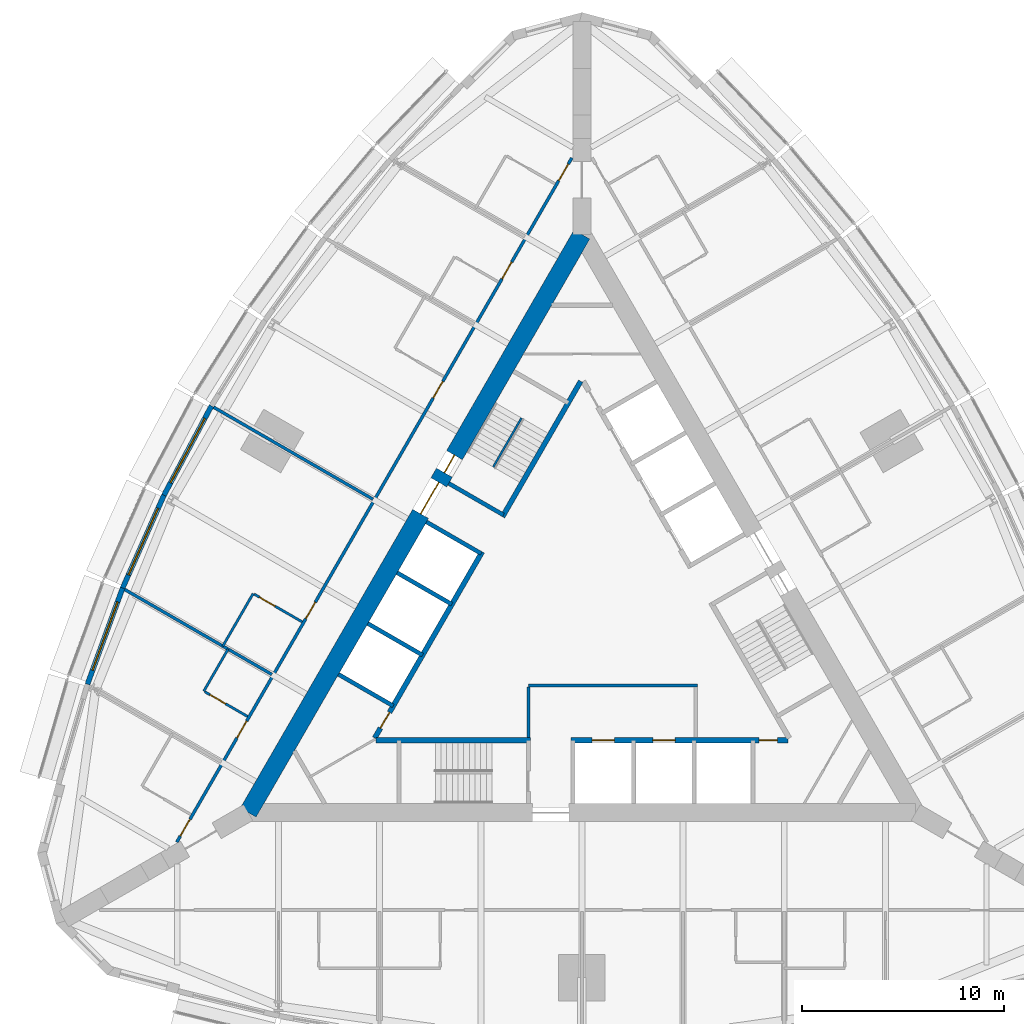
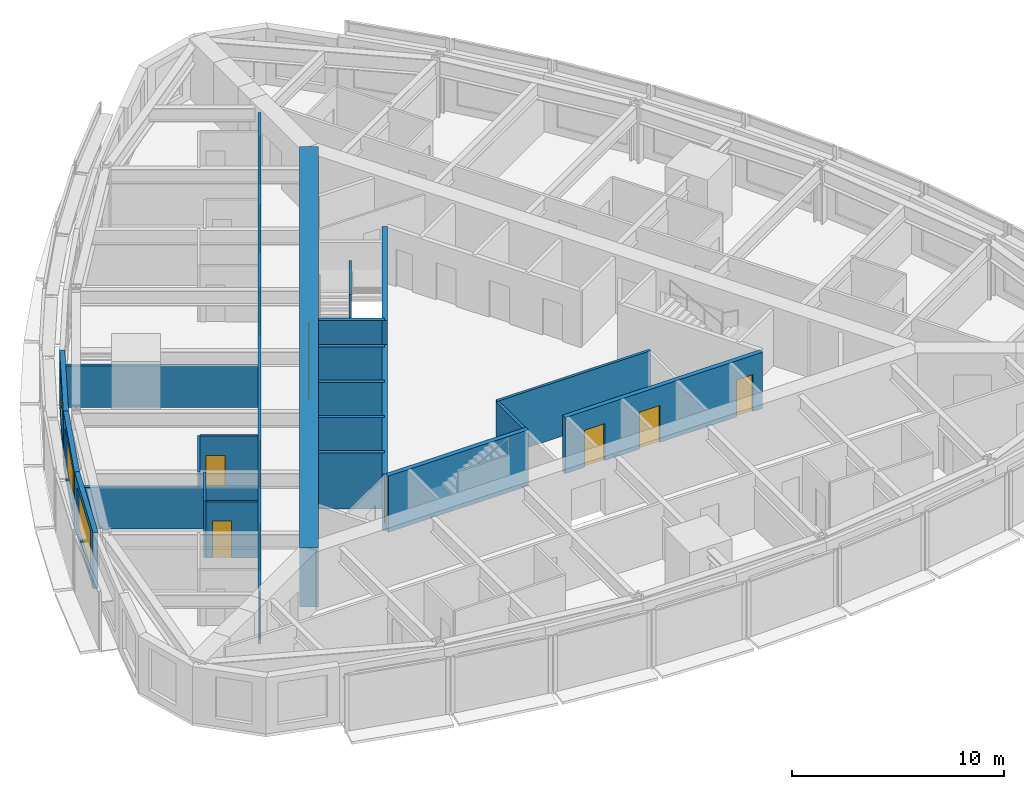
# One storey, part 9 of 14: 23 walls, 14 doors, 3 windows, 17 openings.
"""IFC4 building model written with IfcOpenShell, lengths in metres."""

from ifc_helpers import new_model, si_unit, direction, frame, frame_2d, origin, place, context, subcontext, project, spatial, rectangle, extrude, material, layer, layer_set, type_object, element, fill, save


model = new_model("IFC4")

# Units and contexts
model_context = context("Model", 3, precision=1e-05, world=origin(), true_north=direction((0.0, 1.0)))
body_context = subcontext(model_context, "Body", "Model", "MODEL_VIEW")
ifc_project = project(units=[si_unit("LENGTHUNIT", "METRE"), si_unit("AREAUNIT", "SQUARE_METRE"), si_unit("VOLUMEUNIT", "CUBIC_METRE"), si_unit("PLANEANGLEUNIT", "RADIAN"), si_unit("MASSUNIT", "GRAM", prefix="KILO")], contexts=[model_context])

# Site, building, storey
site_placement = place(None, origin())
site = spatial("IfcSite", under=ifc_project, at=site_placement, CompositionType="ELEMENT")
building_placement = place(site_placement, origin())
building = spatial("IfcBuilding", under=site, at=building_placement, Name="Trikona Tower", CompositionType="ELEMENT")
storey_placement = place(building_placement, frame((0.0, 0.0, 162.300048828125)))
storey = spatial("IfcBuildingStorey", under=building, at=storey_placement, Name="L43", CompositionType="ELEMENT", Elevation=162.300048828125)

# Wall
ifc_material_1 = material(Name="Metal stud and cement board", Category="gypsum")
ifc_layer_1 = layer(ifc_material_1, 0.1201171875)
ifc_layer_set_1 = layer_set([ifc_layer_1], Name="Bathroom wall 120")
wall_type_1 = type_object("IfcWallType", Name="Bathroom wall 120", PredefinedType="PLUMBINGWALL", material=ifc_layer_set_1)
wall_1_placement = place(storey_placement, frame((-16.25341796875, 1.301025390625, 0.0), z_axis=(0.0, 0.0, 1.0), x_axis=(-0.499990139034, -0.866031096941, 0.0)))
element("IfcWall", 1, at=wall_1_placement, inside=storey, type_object=wall_type_1, Name="Bathroom wall 4313", PredefinedType="PLUMBINGWALL", context=body_context, shape_type="SweptSolid", body=[
    extrude(rectangle(XDim=3.0, YDim=0.1201171875, at=frame_2d((1.5, 0.0))), origin(), (0.0, 0.0, 1.0), 3.23486328125),
])

# Wall, opening, door
wall_2_placement = place(storey_placement, frame((-13.82861328125, -0.09912109375, 0.0), z_axis=(0.0, 0.0, 1.0), x_axis=(-0.865997131366, 0.500048966069, 0.0)))
wall_2 = element("IfcWall", 2, at=wall_2_placement, inside=storey, type_object=wall_type_1, Name="Bathroom wall 4313", PredefinedType="PLUMBINGWALL", context=body_context, shape_type="SweptSolid", body=[
    extrude(rectangle(XDim=2.739990234375, YDim=0.1201171875, at=frame_2d((1.3701171875, 0.0))), origin(), (0.0, 0.0, 1.0), 3.23486328125),
])
opening_1_placement = place(wall_2_placement, frame((1.550048828125, 0.0, 0.0)))
opening_1 = element("IfcOpeningElement", 3, at=opening_1_placement, cuts=wall_2, Name="Opening D2", PredefinedType="OPENING", context=body_context, shape_type="SweptSolid", body=[
    extrude(rectangle(XDim=0.89990234375, YDim=2.1298828125, at=frame_2d((0.449951171875, 1.06494140625))), frame((0.0, 0.070068359375, 0.0), z_axis=(0.0, -1.0, 0.0), x_axis=(1.0, 0.0, 0.0)), (0.0, 0.0, 1.0), 0.14013671875),
])
ifc_material_2 = material(Name="Steel door frame with solid-core timber leaf", Category="steel")
door_type_1 = type_object("IfcDoorType", Name="Bathroom door 900x2130", OperationType="SLIDING_TO_LEFT", PredefinedType="DOOR", material=ifc_material_2)
door_1_placement = place(opening_1_placement, origin())
door_1 = element("IfcDoor", 4, at=door_1_placement, inside=storey, type_object=door_type_1, Name="Bathroom door 4313", OperationType="SLIDING_TO_LEFT", OverallHeight=2.1298828125, OverallWidth=0.89990234375, PredefinedType="DOOR", context=body_context, shape_type="SweptSolid", body=[
    extrude(rectangle(XDim=0.89990234375, YDim=2.1298828125, at=frame_2d((0.449951171875, 1.06494140625))), frame((0.0, 0.02490234375, 0.0), z_axis=(0.0, -1.0, 0.0), x_axis=(1.0, 0.0, 0.0)), (0.0, 0.0, 1.0), 0.050048828125),
])
fill(opening_1, door_1)

# Wall
wall_3_placement = place(storey_placement, frame((-17.493408203125, -1.447021484375, 0.0), z_axis=(0.0, 0.0, 1.0), x_axis=(-0.500033551112, -0.866006032174, 0.0)))
element("IfcWall", 5, at=wall_3_placement, inside=storey, type_object=wall_type_1, Name="Bathroom wall 4314", PredefinedType="PLUMBINGWALL", context=body_context, shape_type="SweptSolid", body=[
    extrude(rectangle(XDim=2.400146484375, YDim=0.1201171875, at=frame_2d((1.2001953125, 0.0))), origin(), (0.0, 0.0, 1.0), 3.23486328125),
])

# Wall, opening, door
wall_4_placement = place(storey_placement, frame((-16.528564453125, -4.775634765625, 0.0), z_axis=(0.0, 0.0, 1.0), x_axis=(-0.866023955769, 0.500002508028, 0.0)))
wall_4 = element("IfcWall", 6, at=wall_4_placement, inside=storey, type_object=wall_type_1, Name="Bathroom wall 4314", PredefinedType="PLUMBINGWALL", context=body_context, shape_type="SweptSolid", body=[
    extrude(rectangle(XDim=2.43994140625, YDim=0.1201171875, at=frame_2d((1.219970703125, 0.0))), origin(), (0.0, 0.0, 1.0), 3.23486328125),
])
opening_2_placement = place(wall_4_placement, frame((1.25, 0.0, 0.0)))
opening_2 = element("IfcOpeningElement", 7, at=opening_2_placement, cuts=wall_4, Name="Opening D2", PredefinedType="OPENING", context=body_context, shape_type="SweptSolid", body=[
    extrude(rectangle(XDim=0.89990234375, YDim=2.1298828125, at=frame_2d((0.449951171875, 1.06494140625))), frame((0.0, 0.070068359375, 0.0), z_axis=(0.0, -1.0, 0.0), x_axis=(1.0, 0.0, 0.0)), (0.0, 0.0, 1.0), 0.14013671875),
])
door_2_placement = place(opening_2_placement, origin())
door_2 = element("IfcDoor", 8, at=door_2_placement, inside=storey, type_object=door_type_1, Name="Bathroom door 4314", OperationType="SLIDING_TO_LEFT", OverallHeight=2.1298828125, OverallWidth=0.89990234375, PredefinedType="DOOR", context=body_context, shape_type="SweptSolid", body=[
    extrude(rectangle(XDim=0.89990234375, YDim=2.1298828125, at=frame_2d((0.449951171875, 1.06494140625))), frame((0.0, 0.02490234375, 0.0), z_axis=(0.0, -1.0, 0.0), x_axis=(1.0, 0.0, 0.0)), (0.0, 0.0, 1.0), 0.050048828125),
])
fill(opening_2, door_2)

# Wall, openings, doors
ifc_material_3 = material(Name="Concrete f'c 10000 psi", Category="concrete")
ifc_layer_2 = layer(ifc_material_3, 0.89990234375)
ifc_layer_set_2 = layer_set([ifc_layer_2], Name="Core wall 900")
wall_type_2 = type_object("IfcWallType", Name="Core wall 900", PredefinedType="SHEAR", material=ifc_layer_set_2)
wall_5_placement = place(storey_placement, frame((0.0, 19.052490234375, 0.0), z_axis=(0.0, 0.0, 1.0), x_axis=(-0.499999749417, -0.866025548458, 0.0)))
wall_5 = element("IfcWall", 9, at=wall_5_placement, inside=storey, type_object=wall_type_2, Name="Core wall C", PredefinedType="SHEAR", context=body_context, shape_type="SweptSolid", body=[
    extrude(rectangle(XDim=33.0, YDim=0.89990234375, at=frame_2d((16.5, 0.0))), origin(), (0.0, 0.0, 1.0), 3.39990234375),
])
opening_3_placement = place(wall_5_placement, frame((14.14990234375, 0.0, 0.0)))
opening_3 = element("IfcOpeningElement", 10, at=opening_3_placement, cuts=wall_5, Name="Opening D6", PredefinedType="OPENING", context=body_context, shape_type="SweptSolid", body=[
    extrude(rectangle(XDim=1.800048828125, YDim=2.1298828125, at=frame_2d((0.89990234375, 1.06494140625))), frame((0.0, 0.4599609375, 0.0), z_axis=(0.0, -1.0, 0.0), x_axis=(1.0, 0.0, 0.0)), (0.0, 0.0, 1.0), 0.919921875),
])
opening_4_placement = place(wall_5_placement, frame((12.60009765625, 0.0, 0.0)))
opening_4 = element("IfcOpeningElement", 11, at=opening_4_placement, cuts=wall_5, Name="Opening D5", PredefinedType="OPENING", context=body_context, shape_type="SweptSolid", body=[
    extrude(rectangle(XDim=1.0, YDim=2.1298828125, at=frame_2d((0.5, 1.06494140625))), frame((0.0, 0.4599609375, 0.0), z_axis=(0.0, -1.0, 0.0), x_axis=(1.0, 0.0, 0.0)), (0.0, 0.0, 1.0), 0.919921875),
])
ifc_material_4 = material(Name="Hollow metal door and frame", Category="steel")
door_type_2 = type_object("IfcDoorType", Name="Lobby door pair 1800x2130", OperationType="DOUBLE_DOOR_SINGLE_SWING", PredefinedType="DOOR", material=ifc_material_4)
door_3_placement = place(opening_3_placement, origin())
door_3 = element("IfcDoor", 12, at=door_3_placement, inside=storey, type_object=door_type_2, Name="Lift lobby door C", OperationType="DOUBLE_DOOR_SINGLE_SWING", OverallHeight=2.1298828125, OverallWidth=1.800048828125, PredefinedType="DOOR", context=body_context, shape_type="SweptSolid", body=[
    extrude(rectangle(XDim=1.800048828125, YDim=2.1298828125, at=frame_2d((0.89990234375, 1.06494140625))), frame((0.0, 0.02490234375, 0.0), z_axis=(0.0, -1.0, 0.0), x_axis=(1.0, 0.0, 0.0)), (0.0, 0.0, 1.0), 0.050048828125),
])
fill(opening_3, door_3)
ifc_material_5 = material(Name="Hollow metal door and frame", Category="steel")
door_type_3 = type_object("IfcDoorType", Name="Stair door 1000x2130", OperationType="SINGLE_SWING_LEFT", PredefinedType="DOOR", material=ifc_material_5)
door_4_placement = place(opening_4_placement, origin())
door_4 = element("IfcDoor", 13, at=door_4_placement, inside=storey, type_object=door_type_3, Name="Stair C door", OperationType="SINGLE_SWING_RIGHT", OverallHeight=2.1298828125, OverallWidth=1.0, PredefinedType="DOOR", context=body_context, shape_type="SweptSolid", body=[
    extrude(rectangle(XDim=1.0, YDim=2.1298828125, at=frame_2d((0.5, 1.06494140625))), frame((0.0, 0.02490234375, 0.0), z_axis=(0.0, -1.0, 0.0), x_axis=(1.0, 0.0, 0.0)), (0.0, 0.0, 1.0), 0.050048828125),
])
fill(opening_4, door_4)

ifc_material_6 = material(Name="Metal stud and gypsum board, 1-hour", Category="gypsum")
ifc_layer_3 = layer(ifc_material_6, 0.14990234375)
ifc_layer_set_3 = layer_set([ifc_layer_3], Name="Corridor wall 150")
wall_type_3 = type_object("IfcWallType", Name="Corridor wall 150", PredefinedType="PARTITIONING", material=ifc_layer_set_3)
wall_6_placement = place(storey_placement, frame((-0.5, 22.83642578125, 0.0), z_axis=(0.0, 0.0, 1.0), x_axis=(-0.500001677587, -0.866024435227, 0.0)))
wall_6 = element("IfcWall", 14, at=wall_6_placement, inside=storey, type_object=wall_type_3, Name="Corridor wall L43-3", PredefinedType="PARTITIONING", context=body_context, shape_type="SweptSolid", body=[
    extrude(rectangle(XDim=39.053955078125, YDim=0.14990234375, at=frame_2d((19.52685546875, 0.0))), origin(), (0.0, 0.0, 1.0), 3.23486328125),
])
opening_5_placement = place(wall_6_placement, frame((0.35205078125, 0.0, 0.0)))
opening_5 = element("IfcOpeningElement", 15, at=opening_5_placement, cuts=wall_6, Name="Opening D1", PredefinedType="OPENING", context=body_context, shape_type="SweptSolid", body=[
    extrude(rectangle(XDim=0.949951171875, YDim=2.1298828125, at=frame_2d((0.47509765625, 1.06494140625))), frame((0.0, 0.0849609375, 0.0), z_axis=(0.0, -1.0, 0.0), x_axis=(1.0, 0.0, 0.0)), (0.0, 0.0, 1.0), 0.169921875),
])
opening_6_placement = place(wall_6_placement, frame((5.951904296875, 0.0, 0.0)))
opening_6 = element("IfcOpeningElement", 16, at=opening_6_placement, cuts=wall_6, Name="Opening D1", PredefinedType="OPENING", context=body_context, shape_type="SweptSolid", body=[
    extrude(rectangle(XDim=0.949951171875, YDim=2.1298828125, at=frame_2d((0.47509765625, 1.06494140625))), frame((0.0, 0.0849609375, 0.0), z_axis=(0.0, -1.0, 0.0), x_axis=(1.0, 0.0, 0.0)), (0.0, 0.0, 1.0), 0.169921875),
])
opening_7_placement = place(wall_6_placement, frame((12.751953125, 0.0, 0.0)))
opening_7 = element("IfcOpeningElement", 17, at=opening_7_placement, cuts=wall_6, Name="Opening D1", PredefinedType="OPENING", context=body_context, shape_type="SweptSolid", body=[
    extrude(rectangle(XDim=0.949951171875, YDim=2.1298828125, at=frame_2d((0.47509765625, 1.06494140625))), frame((0.0, 0.0849609375, 0.0), z_axis=(0.0, -1.0, 0.0), x_axis=(1.0, 0.0, 0.0)), (0.0, 0.0, 1.0), 0.169921875),
])
opening_8_placement = place(wall_6_placement, frame((25.35205078125, 0.0, 0.0)))
opening_8 = element("IfcOpeningElement", 18, at=opening_8_placement, cuts=wall_6, Name="Opening D1", PredefinedType="OPENING", context=body_context, shape_type="SweptSolid", body=[
    extrude(rectangle(XDim=0.949951171875, YDim=2.1298828125, at=frame_2d((0.47509765625, 1.06494140625))), frame((0.0, 0.0849609375, 0.0), z_axis=(0.0, -1.0, 0.0), x_axis=(1.0, 0.0, 0.0)), (0.0, 0.0, 1.0), 0.169921875),
])
opening_9_placement = place(wall_6_placement, frame((32.152099609375, 0.0, 0.0)))
opening_9 = element("IfcOpeningElement", 19, at=opening_9_placement, cuts=wall_6, Name="Opening D1", PredefinedType="OPENING", context=body_context, shape_type="SweptSolid", body=[
    extrude(rectangle(XDim=0.949951171875, YDim=2.1298828125, at=frame_2d((0.47509765625, 1.06494140625))), frame((0.0, 0.0849609375, 0.0), z_axis=(0.0, -1.0, 0.0), x_axis=(1.0, 0.0, 0.0)), (0.0, 0.0, 1.0), 0.169921875),
])
opening_10_placement = place(wall_6_placement, frame((37.751953125, 0.0, 0.0)))
opening_10 = element("IfcOpeningElement", 20, at=opening_10_placement, cuts=wall_6, Name="Opening D1", PredefinedType="OPENING", context=body_context, shape_type="SweptSolid", body=[
    extrude(rectangle(XDim=0.949951171875, YDim=2.1298828125, at=frame_2d((0.47509765625, 1.06494140625))), frame((0.0, 0.0849609375, 0.0), z_axis=(0.0, -1.0, 0.0), x_axis=(1.0, 0.0, 0.0)), (0.0, 0.0, 1.0), 0.169921875),
])
ifc_material_7 = material(Name="Steel door frame with solid-core timber leaf", Category="steel")
door_type_4 = type_object("IfcDoorType", Name="Guest room door 950x2130", OperationType="SINGLE_SWING_LEFT", PredefinedType="DOOR", material=ifc_material_7)
door_5_placement = place(opening_5_placement, origin())
door_5 = element("IfcDoor", 21, at=door_5_placement, inside=storey, type_object=door_type_4, Name="Room door 4310", OperationType="SINGLE_SWING_LEFT", OverallHeight=2.1298828125, OverallWidth=0.949951171875, PredefinedType="DOOR", context=body_context, shape_type="SweptSolid", body=[
    extrude(rectangle(XDim=0.949951171875, YDim=2.1298828125, at=frame_2d((0.47509765625, 1.06494140625))), frame((0.0, 0.02490234375, 0.0), z_axis=(0.0, -1.0, 0.0), x_axis=(1.0, 0.0, 0.0)), (0.0, 0.0, 1.0), 0.050048828125),
])
fill(opening_5, door_5)
door_6_placement = place(opening_6_placement, origin())
door_6 = element("IfcDoor", 22, at=door_6_placement, inside=storey, type_object=door_type_4, Name="Room door 4311", OperationType="SINGLE_SWING_RIGHT", OverallHeight=2.1298828125, OverallWidth=0.949951171875, PredefinedType="DOOR", context=body_context, shape_type="SweptSolid", body=[
    extrude(rectangle(XDim=0.949951171875, YDim=2.1298828125, at=frame_2d((0.47509765625, 1.06494140625))), frame((0.0, 0.02490234375, 0.0), z_axis=(0.0, -1.0, 0.0), x_axis=(1.0, 0.0, 0.0)), (0.0, 0.0, 1.0), 0.050048828125),
])
fill(opening_6, door_6)
door_7_placement = place(opening_7_placement, origin())
door_7 = element("IfcDoor", 23, at=door_7_placement, inside=storey, type_object=door_type_4, Name="Room door 4312", OperationType="SINGLE_SWING_LEFT", OverallHeight=2.1298828125, OverallWidth=0.949951171875, PredefinedType="DOOR", context=body_context, shape_type="SweptSolid", body=[
    extrude(rectangle(XDim=0.949951171875, YDim=2.1298828125, at=frame_2d((0.47509765625, 1.06494140625))), frame((0.0, 0.02490234375, 0.0), z_axis=(0.0, -1.0, 0.0), x_axis=(1.0, 0.0, 0.0)), (0.0, 0.0, 1.0), 0.050048828125),
])
fill(opening_7, door_7)
door_8_placement = place(opening_8_placement, origin())
door_8 = element("IfcDoor", 24, at=door_8_placement, inside=storey, type_object=door_type_4, Name="Room door 4313", OperationType="SINGLE_SWING_RIGHT", OverallHeight=2.1298828125, OverallWidth=0.949951171875, PredefinedType="DOOR", context=body_context, shape_type="SweptSolid", body=[
    extrude(rectangle(XDim=0.949951171875, YDim=2.1298828125, at=frame_2d((0.47509765625, 1.06494140625))), frame((0.0, 0.02490234375, 0.0), z_axis=(0.0, -1.0, 0.0), x_axis=(1.0, 0.0, 0.0)), (0.0, 0.0, 1.0), 0.050048828125),
])
fill(opening_8, door_8)
door_9_placement = place(opening_9_placement, origin())
door_9 = element("IfcDoor", 25, at=door_9_placement, inside=storey, type_object=door_type_4, Name="Room door 4314", OperationType="SINGLE_SWING_LEFT", OverallHeight=2.1298828125, OverallWidth=0.949951171875, PredefinedType="DOOR", context=body_context, shape_type="SweptSolid", body=[
    extrude(rectangle(XDim=0.949951171875, YDim=2.1298828125, at=frame_2d((0.47509765625, 1.06494140625))), frame((0.0, 0.02490234375, 0.0), z_axis=(0.0, -1.0, 0.0), x_axis=(1.0, 0.0, 0.0)), (0.0, 0.0, 1.0), 0.050048828125),
])
fill(opening_9, door_9)
door_10_placement = place(opening_10_placement, origin())
door_10 = element("IfcDoor", 26, at=door_10_placement, inside=storey, type_object=door_type_4, Name="Room door 4315", OperationType="SINGLE_SWING_RIGHT", OverallHeight=2.1298828125, OverallWidth=0.949951171875, PredefinedType="DOOR", context=body_context, shape_type="SweptSolid", body=[
    extrude(rectangle(XDim=0.949951171875, YDim=2.1298828125, at=frame_2d((0.47509765625, 1.06494140625))), frame((0.0, 0.02490234375, 0.0), z_axis=(0.0, -1.0, 0.0), x_axis=(1.0, 0.0, 0.0)), (0.0, 0.0, 1.0), 0.050048828125),
])
fill(opening_10, door_10)

# Wall
ifc_material_8 = material(Name="Concrete f'c 8000 psi", Category="concrete")
ifc_layer_4 = layer(ifc_material_8, 0.25)
ifc_layer_set_4 = layer_set([ifc_layer_4], Name="Hub wall 250")
wall_type_4 = type_object("IfcWallType", Name="Hub wall 250", PredefinedType="SOLIDWALL", material=ifc_layer_set_4)
wall_7_placement = place(storey_placement, frame((-10.182861328125, -5.951416015625, 0.0), z_axis=(0.0, 0.0, 1.0), x_axis=(1.0, 0.0, 0.0)))
element("IfcWall", 27, at=wall_7_placement, inside=storey, type_object=wall_type_4, Name="Lift lobby wall A1", PredefinedType="SOLIDWALL", context=body_context, shape_type="SweptSolid", body=[
    extrude(rectangle(XDim=7.6328125, YDim=0.25, at=frame_2d((3.81640625, 0.0))), origin(), (0.0, 0.0, 1.0), 3.23486328125),
])

# Wall, openings, doors
wall_8_placement = place(storey_placement, frame((-0.550048828125, -5.951416015625, 0.0), z_axis=(0.0, 0.0, 1.0), x_axis=(1.0, 0.0, 0.0)))
wall_8 = element("IfcWall", 28, at=wall_8_placement, inside=storey, type_object=wall_type_4, Name="Lift lobby wall A2", PredefinedType="SOLIDWALL", context=body_context, shape_type="SweptSolid", body=[
    extrude(rectangle(XDim=10.73291015625, YDim=0.25, at=frame_2d((5.366455078125, 0.0))), origin(), (0.0, 0.0, 1.0), 3.23486328125),
])
opening_11_placement = place(wall_8_placement, frame((9.31396484375, 0.0, 0.0)))
opening_11 = element("IfcOpeningElement", 29, at=opening_11_placement, cuts=wall_8, Name="Opening D14", PredefinedType="OPENING", context=body_context, shape_type="SweptSolid", body=[
    extrude(rectangle(XDim=0.89990234375, YDim=2.1298828125, at=frame_2d((0.449951171875, 1.06494140625))), frame((0.0, 0.135009765625, 0.0), z_axis=(0.0, -1.0, 0.0), x_axis=(1.0, 0.0, 0.0)), (0.0, 0.0, 1.0), 0.27001953125),
])
opening_12_placement = place(wall_8_placement, frame((1.050048828125, 0.0, 0.0)))
opening_12 = element("IfcOpeningElement", 30, at=opening_12_placement, cuts=wall_8, Name="Opening LD", PredefinedType="OPENING", context=body_context, shape_type="SweptSolid", body=[
    extrude(rectangle(XDim=1.10009765625, YDim=2.1298828125, at=frame_2d((0.550048828125, 1.06494140625))), frame((0.0, 0.135009765625, 0.0), z_axis=(0.0, -1.0, 0.0), x_axis=(1.0, 0.0, 0.0)), (0.0, 0.0, 1.0), 0.27001953125),
])
opening_13_placement = place(wall_8_placement, frame((4.050048828125, 0.0, 0.0)))
opening_13 = element("IfcOpeningElement", 31, at=opening_13_placement, cuts=wall_8, Name="Opening LD", PredefinedType="OPENING", context=body_context, shape_type="SweptSolid", body=[
    extrude(rectangle(XDim=1.10009765625, YDim=2.1298828125, at=frame_2d((0.550048828125, 1.06494140625))), frame((0.0, 0.135009765625, 0.0), z_axis=(0.0, -1.0, 0.0), x_axis=(1.0, 0.0, 0.0)), (0.0, 0.0, 1.0), 0.27001953125),
])
ifc_material_9 = material(Name="Stainless steel lift landing door", Category="steel")
door_type_5 = type_object("IfcDoorType", Name="Lift landing door 1100x2130", OperationType="DOUBLE_DOOR_SLIDING", PredefinedType="USERDEFINED", material=ifc_material_9)
door_11_placement = place(opening_12_placement, origin())
door_11 = element("IfcDoor", 32, at=door_11_placement, inside=storey, type_object=door_type_5, Name="Lift landing door FF1", ObjectType="LIFT LANDING DOOR", OperationType="DOUBLE_DOOR_SLIDING", OverallHeight=2.1298828125, OverallWidth=1.10009765625, PredefinedType="USERDEFINED", context=body_context, shape_type="SweptSolid", body=[
    extrude(rectangle(XDim=1.10009765625, YDim=2.1298828125, at=frame_2d((0.550048828125, 1.06494140625))), frame((0.0, 0.02490234375, 0.0), z_axis=(0.0, -1.0, 0.0), x_axis=(1.0, 0.0, 0.0)), (0.0, 0.0, 1.0), 0.050048828125),
])
fill(opening_12, door_11)
door_12_placement = place(opening_13_placement, origin())
door_12 = element("IfcDoor", 33, at=door_12_placement, inside=storey, type_object=door_type_5, Name="Lift landing door FF2", ObjectType="LIFT LANDING DOOR", OperationType="DOUBLE_DOOR_SLIDING", OverallHeight=2.1298828125, OverallWidth=1.10009765625, PredefinedType="USERDEFINED", context=body_context, shape_type="SweptSolid", body=[
    extrude(rectangle(XDim=1.10009765625, YDim=2.1298828125, at=frame_2d((0.550048828125, 1.06494140625))), frame((0.0, 0.02490234375, 0.0), z_axis=(0.0, -1.0, 0.0), x_axis=(1.0, 0.0, 0.0)), (0.0, 0.0, 1.0), 0.050048828125),
])
fill(opening_13, door_12)
ifc_material_10 = material(Name="Hollow metal door and frame", Category="steel")
door_type_6 = type_object("IfcDoorType", Name="Service room door 900x2130", OperationType="SINGLE_SWING_LEFT", PredefinedType="DOOR", material=ifc_material_10)
door_13_placement = place(opening_11_placement, origin())
door_13 = element("IfcDoor", 34, at=door_13_placement, inside=storey, type_object=door_type_6, Name="Door Linen store LIN", OperationType="SINGLE_SWING_RIGHT", OverallHeight=2.1298828125, OverallWidth=0.89990234375, PredefinedType="DOOR", context=body_context, shape_type="SweptSolid", body=[
    extrude(rectangle(XDim=0.89990234375, YDim=2.1298828125, at=frame_2d((0.449951171875, 1.06494140625))), frame((0.0, 0.02490234375, 0.0), z_axis=(0.0, -1.0, 0.0), x_axis=(1.0, 0.0, 0.0)), (0.0, 0.0, 1.0), 0.050048828125),
])
fill(opening_11, door_13)

# Wall
wall_9_placement = place(storey_placement, frame((-0.0625, 11.794189453125, 0.0), z_axis=(0.0, 0.0, 1.0), x_axis=(-0.500006680225, -0.86602154692, 0.0)))
element("IfcWall", 35, at=wall_9_placement, inside=storey, type_object=wall_type_4, Name="Lift lobby wall C1", PredefinedType="SOLIDWALL", context=body_context, shape_type="SweptSolid", body=[
    extrude(rectangle(XDim=7.73291015625, YDim=0.25, at=frame_2d((3.866455078125, 0.0))), origin(), (0.0, 0.0, 1.0), 3.23486328125),
])

# Wall, opening, door
wall_10_placement = place(storey_placement, frame((-4.928955078125, 3.365478515625, 0.0), z_axis=(0.0, 0.0, 1.0), x_axis=(-0.499991433582, -0.866030349552, 0.0)))
wall_10 = element("IfcWall", 36, at=wall_10_placement, inside=storey, type_object=wall_type_4, Name="Lift lobby wall C2", PredefinedType="SOLIDWALL", context=body_context, shape_type="SweptSolid", body=[
    extrude(rectangle(XDim=10.633056640625, YDim=0.25, at=frame_2d((5.31640625, 0.0))), origin(), (0.0, 0.0, 1.0), 3.23486328125),
])
opening_14_placement = place(wall_10_placement, frame((9.1640625, 0.0, 0.0)))
opening_14 = element("IfcOpeningElement", 37, at=opening_14_placement, cuts=wall_10, Name="Opening D14", PredefinedType="OPENING", context=body_context, shape_type="SweptSolid", body=[
    extrude(rectangle(XDim=0.89990234375, YDim=2.1298828125, at=frame_2d((0.449951171875, 1.06494140625))), frame((0.0, 0.135009765625, 0.0), z_axis=(0.0, -1.0, 0.0), x_axis=(1.0, 0.0, 0.0)), (0.0, 0.0, 1.0), 0.27001953125),
])
door_14_placement = place(opening_14_placement, origin())
door_14 = element("IfcDoor", 38, at=door_14_placement, inside=storey, type_object=door_type_6, Name="Door Ice and vending ICE", OperationType="SINGLE_SWING_RIGHT", OverallHeight=2.1298828125, OverallWidth=0.89990234375, PredefinedType="DOOR", context=body_context, shape_type="SweptSolid", body=[
    extrude(rectangle(XDim=0.89990234375, YDim=2.1298828125, at=frame_2d((0.449951171875, 1.06494140625))), frame((0.0, 0.02490234375, 0.0), z_axis=(0.0, -1.0, 0.0), x_axis=(1.0, 0.0, 0.0)), (0.0, 0.0, 1.0), 0.050048828125),
])
fill(opening_14, door_14)

# Wall, opening, window
ifc_material_11 = material(Name="Insulated precast concrete spandrel panel", Category="concrete")
ifc_layer_5 = layer(ifc_material_11, 0.25)
ifc_layer_set_5 = layer_set([ifc_layer_5], Name="Inner skin wall 250")
wall_type_5 = type_object("IfcWallType", Name="Inner skin wall 250", PredefinedType="STANDARD", material=ifc_layer_set_5)
wall_11_placement = place(storey_placement, frame((-18.314453125, 10.578857421875, 0.0), z_axis=(0.0, 0.0, 1.0), x_axis=(-0.469404966864, -0.882982999317, 0.0)))
wall_11 = element("IfcWall", 39, at=wall_11_placement, inside=storey, type_object=wall_type_5, Name="External wall L43-28", PredefinedType="STANDARD", context=body_context, shape_type="SweptSolid", body=[
    extrude(rectangle(XDim=5.0029296875, YDim=0.25, at=frame_2d((2.50146484375, 0.0))), origin(), (0.0, 0.0, 1.0), 3.23486328125),
])
opening_15_placement = place(wall_11_placement, frame((0.701416015625, 0.0, 0.449951171875)))
opening_15 = element("IfcOpeningElement", 40, at=opening_15_placement, cuts=wall_11, Name="Opening W3624", PredefinedType="OPENING", context=body_context, shape_type="SweptSolid", body=[
    extrude(rectangle(XDim=3.60009765625, YDim=2.39990234375, at=frame_2d((1.800048828125, 1.199951171875))), frame((0.0, 0.135009765625, 0.0), z_axis=(0.0, -1.0, 0.0), x_axis=(1.0, 0.0, 0.0)), (0.0, 0.0, 1.0), 0.27001953125),
])
ifc_material_12 = material(Name="Aluminium-framed double glazing", Category="aluminium")
window_type = type_object("IfcWindowType", Name="Window 3600x2400", PartitioningType="SINGLE_PANEL", PredefinedType="WINDOW", material=ifc_material_12)
window_1_placement = place(opening_15_placement, origin())
window_1 = element("IfcWindow", 41, at=window_1_placement, inside=storey, type_object=window_type, Name="Window 4313", OverallHeight=2.39990234375, OverallWidth=3.60009765625, PartitioningType="SINGLE_PANEL", PredefinedType="WINDOW", context=body_context, shape_type="SweptSolid", body=[
    extrude(rectangle(XDim=3.60009765625, YDim=2.39990234375, at=frame_2d((1.800048828125, 1.199951171875))), frame((0.0, 0.030029296875, 0.0), z_axis=(0.0, -1.0, 0.0), x_axis=(1.0, 0.0, 0.0)), (0.0, 0.0, 1.0), 0.06005859375),
])
fill(opening_15, window_1)

wall_12_placement = place(storey_placement, frame((-20.6591796875, 6.169189453125, 0.0), z_axis=(0.0, 0.0, 1.0), x_axis=(-0.406832200364, -0.913502906808, 0.0)))
wall_12 = element("IfcWall", 42, at=wall_12_placement, inside=storey, type_object=wall_type_5, Name="External wall L43-29", PredefinedType="STANDARD", context=body_context, shape_type="SweptSolid", body=[
    extrude(rectangle(XDim=5.027587890625, YDim=0.25, at=frame_2d((2.513671875, 0.0))), origin(), (0.0, 0.0, 1.0), 3.23486328125),
])
opening_16_placement = place(wall_12_placement, frame((0.713623046875, 0.0, 0.449951171875)))
opening_16 = element("IfcOpeningElement", 43, at=opening_16_placement, cuts=wall_12, Name="Opening W3624", PredefinedType="OPENING", context=body_context, shape_type="SweptSolid", body=[
    extrude(rectangle(XDim=3.60009765625, YDim=2.39990234375, at=frame_2d((1.800048828125, 1.199951171875))), frame((0.0, 0.135009765625, 0.0), z_axis=(0.0, -1.0, 0.0), x_axis=(1.0, 0.0, 0.0)), (0.0, 0.0, 1.0), 0.27001953125),
])
window_2_placement = place(opening_16_placement, origin())
window_2 = element("IfcWindow", 44, at=window_2_placement, inside=storey, type_object=window_type, Name="Window 4313", OverallHeight=2.39990234375, OverallWidth=3.60009765625, PartitioningType="SINGLE_PANEL", PredefinedType="WINDOW", context=body_context, shape_type="SweptSolid", body=[
    extrude(rectangle(XDim=3.60009765625, YDim=2.39990234375, at=frame_2d((1.800048828125, 1.199951171875))), frame((0.0, 0.030029296875, 0.0), z_axis=(0.0, -1.0, 0.0), x_axis=(1.0, 0.0, 0.0)), (0.0, 0.0, 1.0), 0.06005859375),
])
fill(opening_16, window_2)

wall_13_placement = place(storey_placement, frame((-22.701416015625, 1.58447265625, 0.0), z_axis=(0.0, 0.0, 1.0), x_axis=(-0.343225593282, -0.939252996863, 0.0)))
wall_13 = element("IfcWall", 45, at=wall_13_placement, inside=storey, type_object=wall_type_5, Name="External wall L43-30", PredefinedType="STANDARD", context=body_context, shape_type="SweptSolid", body=[
    extrude(rectangle(XDim=5.075927734375, YDim=0.25, at=frame_2d((2.5380859375, 0.0))), origin(), (0.0, 0.0, 1.0), 3.23486328125),
])
opening_17_placement = place(wall_13_placement, frame((0.738037109375, 0.0, 0.449951171875)))
opening_17 = element("IfcOpeningElement", 46, at=opening_17_placement, cuts=wall_13, Name="Opening W3624", PredefinedType="OPENING", context=body_context, shape_type="SweptSolid", body=[
    extrude(rectangle(XDim=3.60009765625, YDim=2.39990234375, at=frame_2d((1.800048828125, 1.199951171875))), frame((0.0, 0.135009765625, 0.0), z_axis=(0.0, -1.0, 0.0), x_axis=(1.0, 0.0, 0.0)), (0.0, 0.0, 1.0), 0.27001953125),
])
window_3_placement = place(opening_17_placement, origin())
window_3 = element("IfcWindow", 47, at=window_3_placement, inside=storey, type_object=window_type, Name="Window 4314", OverallHeight=2.39990234375, OverallWidth=3.60009765625, PartitioningType="SINGLE_PANEL", PredefinedType="WINDOW", context=body_context, shape_type="SweptSolid", body=[
    extrude(rectangle(XDim=3.60009765625, YDim=2.39990234375, at=frame_2d((1.800048828125, 1.199951171875))), frame((0.0, 0.030029296875, 0.0), z_axis=(0.0, -1.0, 0.0), x_axis=(1.0, 0.0, 0.0)), (0.0, 0.0, 1.0), 0.06005859375),
])
fill(opening_17, window_3)

# Walls
ifc_material_13 = material(Name="Metal stud and gypsum board, 2-hour shaft wall", Category="gypsum")
ifc_layer_6 = layer(ifc_material_13, 0.14990234375)
ifc_layer_set_6 = layer_set([ifc_layer_6], Name="Lobby wall 150")
wall_type_6 = type_object("IfcWallType", Name="Lobby wall 150", PredefinedType="PARTITIONING", material=ifc_layer_set_6)
wall_14_placement = place(storey_placement, frame((-2.64990234375, -3.251220703125, 0.0), z_axis=(0.0, 0.0, 1.0), x_axis=(1.0, 0.0, 0.0)))
element("IfcWall", 48, at=wall_14_placement, inside=storey, type_object=wall_type_6, Name="Fire service lift lobby wall 1", PredefinedType="PARTITIONING", context=body_context, shape_type="SweptSolid", body=[
    extrude(rectangle(XDim=8.349853515625, YDim=0.14990234375, at=frame_2d((4.1748046875, 0.0))), origin(), (0.0, 0.0, 1.0), 3.23486328125),
])
wall_15_placement = place(storey_placement, frame((-2.64990234375, -5.826416015625, 0.0), z_axis=(0.0, 0.0, 1.0), x_axis=(0.0, 1.0, 0.0)))
element("IfcWall", 49, at=wall_15_placement, inside=storey, type_object=wall_type_6, Name="Fire service lift lobby wall 2", PredefinedType="PARTITIONING", context=body_context, shape_type="SweptSolid", body=[
    extrude(rectangle(XDim=2.5, YDim=0.14990234375, at=frame_2d((1.25, 0.0))), origin(), (0.0, 0.0, 1.0), 3.23486328125),
])
ifc_material_14 = material(Name="Metal stud and gypsum board, 1-hour acoustic", Category="gypsum")
ifc_layer_7 = layer(ifc_material_14, 0.14990234375)
ifc_layer_set_7 = layer_set([ifc_layer_7], Name="Party wall 150")
wall_type_7 = type_object("IfcWallType", Name="Party wall 150", PredefinedType="PARTITIONING", material=ifc_layer_set_7)
wall_16_placement = place(storey_placement, frame((-10.32861328125, 5.963134765625, 0.0), z_axis=(0.0, 0.0, 1.0), x_axis=(-0.866025170687, 0.500000403736, 0.0)))
element("IfcWall", 50, at=wall_16_placement, inside=storey, type_object=wall_type_7, Name="Partition L43 F3 u0", PredefinedType="PARTITIONING", context=body_context, shape_type="SweptSolid", body=[
    extrude(rectangle(XDim=9.0986328125, YDim=0.14990234375, at=frame_2d((4.54931640625, 0.0))), origin(), (0.0, 0.0, 1.0), 2.38916015625),
])
wall_17_placement = place(storey_placement, frame((-15.32861328125, -2.697021484375, 0.0), z_axis=(0.0, 0.0, 1.0), x_axis=(-0.866024316602, 0.50000188305, 0.0)))
element("IfcWall", 51, at=wall_17_placement, inside=storey, type_object=wall_type_7, Name="Partition L43 F3 u10", PredefinedType="PARTITIONING", context=body_context, shape_type="SweptSolid", body=[
    extrude(rectangle(XDim=8.39501953125, YDim=0.14990234375, at=frame_2d((4.197509765625, 0.0))), origin(), (0.0, 0.0, 1.0), 2.38916015625),
])
ifc_material_15 = material(Name="Concrete f'c 8000 psi", Category="concrete")
ifc_layer_8 = layer(ifc_material_15, 0.199951171875)
ifc_layer_set_8 = layer_set([ifc_layer_8], Name="Shaft wall 200")
wall_type_8 = type_object("IfcWallType", Name="Shaft wall 200", PredefinedType="SOLIDWALL", material=ifc_layer_set_8)
for number, where, z_axis, x_axis, name in (
    (52, (-4.97900390625, 3.27880859375, 0.0), (0.0, 0.0, 1.0), (-0.866022959057, 0.500004234368, 0.0), "Shaft wall C3"),
    (53, (-6.428955078125, 0.767333984375, 0.0), (0.0, 0.0, 1.0), (-0.866022959057, 0.500004234368, 0.0), "Shaft wall C4"),
    (54, (-7.87890625, -1.744140625, 0.0), (0.0, 0.0, 1.0), (-0.866022959057, 0.500004234368, 0.0), "Shaft wall C5"),
    (55, (-9.3291015625, -4.255615234375, 0.0), (0.0, 0.0, 1.0), (-0.866022959057, 0.500004234368, 0.0), "Shaft wall C6"),
):
    element("IfcWall", number, at=place(storey_placement, frame(where, z_axis=z_axis, x_axis=x_axis)), inside=storey, type_object=wall_type_8, Name=name, PredefinedType="SOLIDWALL", context=body_context, shape_type="SweptSolid", body=[
        extrude(rectangle(XDim=3.125, YDim=0.199951171875, at=frame_2d((1.5625, 0.0))), origin(), (0.0, 0.0, 1.0), 3.23486328125),
    ])
ifc_material_16 = material(Name="Concrete f'c 8000 psi", Category="concrete")
ifc_layer_9 = layer(ifc_material_16, 0.199951171875)
ifc_layer_set_9 = layer_set([ifc_layer_9], Name="Shaft wall 200 load-bearing")
wall_type_9 = type_object("IfcWallType", Name="Shaft wall 200 load-bearing", PredefinedType="SOLIDWALL", material=ifc_layer_set_9)
wall_18_placement = place(storey_placement, frame((-3.87890625, 5.18408203125, 0.0), z_axis=(0.0, 0.0, 1.0), x_axis=(-0.866022959057, 0.500004234368, 0.0)))
element("IfcWall", 56, at=wall_18_placement, inside=storey, type_object=wall_type_9, Name="Shaft wall C2", PredefinedType="SOLIDWALL", context=body_context, shape_type="SweptSolid", body=[
    extrude(rectangle(XDim=3.125, YDim=0.199951171875, at=frame_2d((1.5625, 0.0))), origin(), (0.0, 0.0, 1.0), 3.23486328125),
])
ifc_material_17 = material(Name="Concrete f'c 5000 psi", Category="concrete")
ifc_layer_10 = layer(ifc_material_17, 0.10009765625)
ifc_layer_set_10 = layer_set([ifc_layer_10], Name="Stair spine wall 100")
wall_type_10 = type_object("IfcWallType", Name="Stair spine wall 100", PredefinedType="SOLIDWALL", material=ifc_layer_set_10)
wall_19_placement = place(storey_placement, frame((-2.98779296875, 9.9775390625, 0.0), z_axis=(0.0, 0.0, 1.0), x_axis=(-0.499992232847, -0.866029888106, 0.0)))
element("IfcWall", 57, at=wall_19_placement, inside=storey, type_object=wall_type_10, Name="Stair C spine wall L43", PredefinedType="SOLIDWALL", context=body_context, shape_type="SweptSolid", body=[
    extrude(rectangle(XDim=2.7939453125, YDim=0.10009765625, at=frame_2d((1.39697265625, 0.0))), origin(), (0.0, 0.0, 1.0), 3.39990234375),
])

save(model, "model.ifc")
